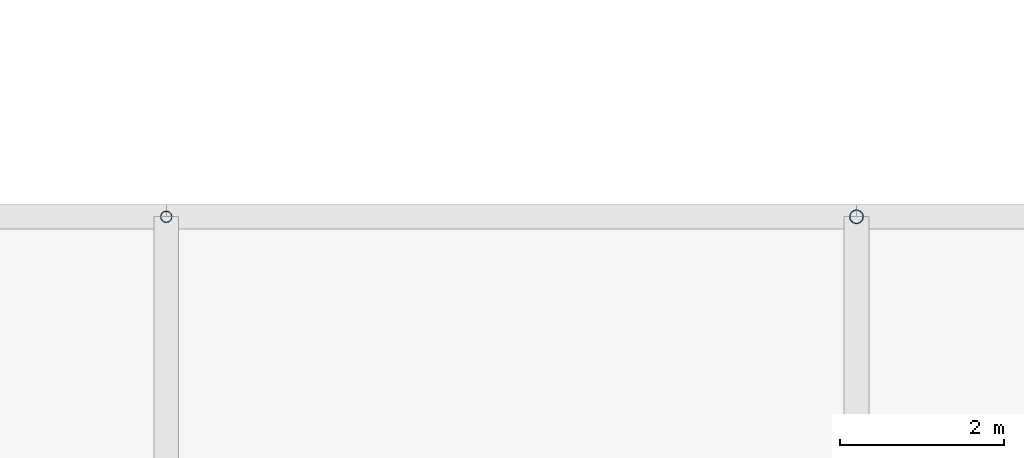
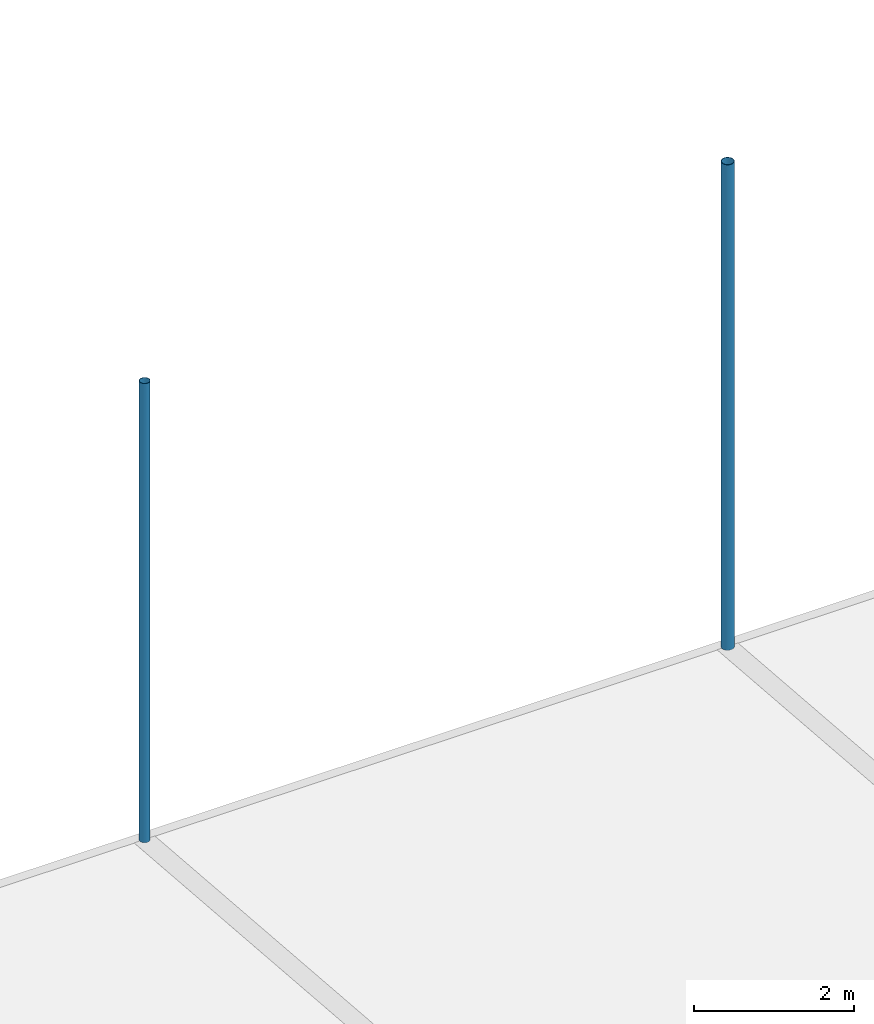
# One storey, part 32 of 37: 2 discrete accessories.
"""IFC4 building model written with IfcOpenShell, lengths in metres."""

import ifcopenshell
import ifcopenshell.guid

model = None  # the IFC model being written
_history = None  # IfcOwnerHistory: only IFC2X3 demands one
_inside = {}  # id of a spatial element -> (the spatial element, [elements in it])
_under = {}  # id of a project, library or spatial element -> (it, [spatial elements below it])
_declared = {}  # id of a project -> (the project, [libraries it declares])
_typed = {}  # id of a type object -> (the type object, [elements of that type])
_made_of = {}  # id of a material, layer set ... -> (it, [elements and type objects made of it])


def new_model(schema):
    """Start an empty IFC model of exactly this schema.

    Asked for "IFC4X3", IfcOpenShell would pick the latest addendum, in which some entities
    have other attributes; the version numbers below select the first issue.
    IFC2X3 requires an IfcOwnerHistory on every rooted entity: one is made here for all.
    """
    global model, _history
    if schema == "IFC4X3":
        model = ifcopenshell.file(schema_version=(4, 3, 0, 0))
    else:
        model = ifcopenshell.file(schema=schema)
    _inside.clear()
    _under.clear()
    _declared.clear()
    _typed.clear()
    _made_of.clear()
    _history = None
    if model.schema == "IFC2X3":
        org = make("IfcOrganization", Name="unknown")
        user = make(
            "IfcPersonAndOrganization",
            ThePerson=make("IfcPerson", FamilyName="unknown"),
            TheOrganization=org,
        )
        app = make(
            "IfcApplication",
            ApplicationDeveloper=org,
            Version="unknown",
            ApplicationFullName="unknown",
            ApplicationIdentifier="unknown",
        )
        _history = make(
            "IfcOwnerHistory",
            OwningUser=user,
            OwningApplication=app,
            ChangeAction="ADDED",
            CreationDate=0,
        )
    return model


def make(cls, **values):
    """One entity of the class cls with the attributes given. An attribute that is None is left unset."""
    return model.create_entity(
        cls, **{name: value for name, value in values.items() if value is not None}
    )


def rooted(cls, **values):
    """An entity with a GlobalId (a new one), such as an element, a storey or a relation."""
    return make(cls, GlobalId=ifcopenshell.guid.new(), OwnerHistory=_history, **values)


def si_unit(unit_type, name, prefix=None):
    """IfcSIUnit, for example si_unit("LENGTHUNIT", "METRE", prefix="MILLI")."""
    return make("IfcSIUnit", UnitType=unit_type, Prefix=prefix, Name=name)


def assignment(units):
    """IfcUnitAssignment: the units of a project."""
    return None if units is None else make("IfcUnitAssignment", Units=units)


def point(xyz):
    """IfcCartesianPoint."""
    return None if xyz is None else make("IfcCartesianPoint", Coordinates=xyz)


def direction(xyz):
    """IfcDirection."""
    return None if xyz is None else make("IfcDirection", DirectionRatios=xyz)


def frame(location, z_axis=None, x_axis=None):
    """IfcAxis2Placement3D, a coordinate frame: its origin and axes. An axis left out is left unset."""
    return make(
        "IfcAxis2Placement3D",
        Location=point(location),
        Axis=direction(z_axis),
        RefDirection=direction(x_axis),
    )


def frame_2d(location, x_axis=None):
    """IfcAxis2Placement2D, a coordinate frame in the plane: its origin and x axis."""
    return make(
        "IfcAxis2Placement2D", Location=point(location), RefDirection=direction(x_axis)
    )


def origin():
    """The frame at (0, 0, 0) with its axes left unset."""
    return frame((0.0, 0.0, 0.0))


def origin_2d():
    """The frame at (0, 0) in the plane with its x axis left unset."""
    return frame_2d((0.0, 0.0))


def place(relative_to, where):
    """IfcLocalPlacement: puts the frame where relative to a parent placement (None: the world)."""
    return make(
        "IfcLocalPlacement", PlacementRelTo=relative_to, RelativePlacement=where
    )


def context(
    kind, dimensions, precision=None, world=None, true_north=None, identifier=None
):
    """IfcGeometricRepresentationContext, for example the 3D "Model" context."""
    return make(
        "IfcGeometricRepresentationContext",
        ContextIdentifier=identifier,
        ContextType=kind,
        CoordinateSpaceDimension=dimensions,
        Precision=precision,
        WorldCoordinateSystem=world,
        TrueNorth=true_north,
    )


def subcontext(parent, identifier, kind, view, scale=None):
    """IfcGeometricRepresentationSubContext, for example "Body" below "Model"."""
    return make(
        "IfcGeometricRepresentationSubContext",
        ContextIdentifier=identifier,
        ContextType=kind,
        ParentContext=parent,
        TargetScale=scale,
        TargetView=view,
    )


def project(units=None, contexts=None):
    """IfcProject with its units and contexts."""
    return rooted(
        "IfcProject",
        Name="project",
        RepresentationContexts=contexts,
        UnitsInContext=assignment(units),
    )


def spatial(cls, under=None, at=None, **own):
    """A site, building, storey or space (cls), placed at a placement, below another one or the project."""
    s = rooted(cls, ObjectPlacement=at, **own)
    if under is not None:
        _under.setdefault(under.id(), (under, []))[1].append(s)
    return s


def profile(cls, at=None, kind="AREA", **sizes):
    """A parametric profile (cls). Its sizes go by their IFC names, for example OverallWidth=200.0."""
    return make(cls, ProfileType=kind, Position=at, **sizes)


def hollow_circle(**sizes):
    """IfcCircleHollowProfileDef."""
    return profile("IfcCircleHollowProfileDef", **sizes)


def extrude(swept, where, along, depth):
    """IfcExtrudedAreaSolid: the profile swept, set in the frame where, extruded along a direction by depth."""
    return make(
        "IfcExtrudedAreaSolid",
        SweptArea=swept,
        Position=where,
        ExtrudedDirection=direction(along),
        Depth=depth,
    )


def shape(context_of_items, identifier, shape_type, items):
    """IfcShapeRepresentation: the items that make up one representation, for example the "Body"."""
    return make(
        "IfcShapeRepresentation",
        ContextOfItems=context_of_items,
        RepresentationIdentifier=identifier,
        RepresentationType=shape_type,
        Items=items,
    )


def material(Name=None, Category=None):
    """IfcMaterial."""
    return make("IfcMaterial", Name=Name, Category=Category)


def material_profile(
    of_material, cross_section, Name=None, Category=None, Priority=None
):
    """IfcMaterialProfile: a cross section and its material."""
    return make(
        "IfcMaterialProfile",
        Name=Name,
        Material=of_material,
        Profile=cross_section,
        Priority=Priority,
        Category=Category,
    )


def profile_set(profiles, Name=None, composite=None):
    """IfcMaterialProfileSet."""
    return make(
        "IfcMaterialProfileSet",
        Name=Name,
        MaterialProfiles=profiles,
        CompositeProfile=composite,
    )


def made_of(thing, what):
    """Note that an element or type object is made of a material, layer set ...; save() writes the relation."""
    if what is not None:
        _made_of.setdefault(what.id(), (what, []))[1].append(thing)
    return thing


def type_object(cls, material=None, **own):
    """A type object (cls), such as IfcWallType, which elements share."""
    return made_of(rooted(cls, **own), material)


def element(
    cls,
    number,
    at=None,
    inside=None,
    cuts=None,
    type_object=None,
    material=None,
    context=None,
    identifier="Body",
    shape_type=None,
    held_by="IfcProductDefinitionShape",
    body=None,
    shapes=None,
    **own,
):
    """One element of the class cls, such as IfcWall. Its Tag is "e" and its number.

    at: its placement. inside: the storey or other place that contains it. cuts: it is an
    opening in that element (IfcRelVoidsElement). A single representation is given by context,
    identifier, shape_type and body (its items); several are given by shapes. held_by: the class
    of the entity that holds the representations. save() writes the other relations.
    """
    e = rooted(cls, Tag="e%d" % number, ObjectPlacement=at, **own)
    if body is not None:
        shapes = [shape(context, identifier, shape_type, body)]
    if shapes is not None:
        e.Representation = make(held_by, Representations=shapes)
    if inside is not None:
        _inside.setdefault(inside.id(), (inside, []))[1].append(e)
    if cuts is not None:
        rooted(
            "IfcRelVoidsElement", RelatingBuildingElement=cuts, RelatedOpeningElement=e
        )
    if type_object is not None:
        _typed.setdefault(type_object.id(), (type_object, []))[1].append(e)
    return made_of(e, material)


def aggregate(whole, parts):
    """IfcRelAggregates: a whole, such as a stair, and the parts it consists of."""
    return rooted("IfcRelAggregates", RelatingObject=whole, RelatedObjects=parts)


def save(model, path):
    """Write the relations noted so far, then the file.

    IfcRelAggregates (storeys below a building ...), IfcRelContainedInSpatialStructure (elements
    in a storey), IfcRelDefinesByType, IfcRelAssociatesMaterial and IfcRelDeclares: one each for
    every whole, place, type object, material and project.
    """
    for whole, parts in _under.values():
        aggregate(whole, parts)
    for where, things in _inside.values():
        rooted(
            "IfcRelContainedInSpatialStructure",
            RelatedElements=things,
            RelatingStructure=where,
        )
    for kind, things in _typed.values():
        rooted("IfcRelDefinesByType", RelatedObjects=things, RelatingType=kind)
    for what, things in _made_of.values():
        rooted("IfcRelAssociatesMaterial", RelatedObjects=things, RelatingMaterial=what)
    for by, libraries in _declared.values():
        rooted("IfcRelDeclares", RelatingContext=by, RelatedDefinitions=libraries)
    model.write(path)


model = new_model("IFC4")

# Units and contexts
model_context = context("Model", 3, precision=1e-05, world=origin(), true_north=direction((0.0, 1.0)))
body_context = subcontext(model_context, "Body", "Model", "MODEL_VIEW")
ifc_project = project(units=[si_unit("LENGTHUNIT", "METRE"), si_unit("AREAUNIT", "SQUARE_METRE"), si_unit("VOLUMEUNIT", "CUBIC_METRE"), si_unit("PLANEANGLEUNIT", "RADIAN"), si_unit("MASSUNIT", "GRAM", prefix="KILO")], contexts=[model_context])

# Site, building, storey
site_placement = place(None, origin())
site = spatial("IfcSite", under=ifc_project, at=site_placement, CompositionType="ELEMENT")
building_placement = place(site_placement, origin())
building = spatial("IfcBuilding", under=site, at=building_placement, Name="Rain Tree Exposition and Congress Centre", CompositionType="ELEMENT")
storey_placement = place(building_placement, frame((0.0, 0.0, 25.0)))
storey = spatial("IfcBuildingStorey", under=building, at=storey_placement, Name="ROOF VAULT LOW", CompositionType="ELEMENT", Elevation=25.0)

# Discrete accessories
ifc_material_1 = material(Name="Steel S355J2H", Category="steel")
ifc_material_profile_1 = material_profile(ifc_material_1, hollow_circle(Radius=0.06982421875, WallThickness=0.0048828125, at=origin_2d()), Name="CHS 140x5")
ifc_profile_set_1 = profile_set([ifc_material_profile_1], Name="Steel S355J2H")
discrete_accessory_type_1 = type_object("IfcDiscreteAccessoryType", Name="Roof skin post CHS 140x5", PredefinedType="BRACKET", material=ifc_profile_set_1)
discrete_accessory_1_placement = place(storey_placement, frame((67.199951171875, 168.0, 0.4892578125), z_axis=(0.0, 0.0, 1.0), x_axis=(1.0, 0.0, 0.0)))
element("IfcDiscreteAccessory", 1, at=discrete_accessory_1_placement, inside=storey, type_object=discrete_accessory_type_1, Name="Roof skin post A128", PredefinedType="BRACKET", context=body_context, shape_type="SweptSolid", body=[
    extrude(hollow_circle(Radius=0.06982421875, WallThickness=0.0048828125, at=origin_2d()), origin(), (0.0, 0.0, 1.0), 6.993408203125),
])
ifc_material_2 = material(Name="Steel S355J2H", Category="steel")
ifc_material_profile_2 = material_profile(ifc_material_2, hollow_circle(Radius=0.084228515625, WallThickness=0.006103515625, at=origin_2d()), Name="CHS 168x6")
ifc_profile_set_2 = profile_set([ifc_material_profile_2], Name="Steel S355J2H")
discrete_accessory_type_2 = type_object("IfcDiscreteAccessoryType", Name="Roof skin post CHS 168x6", PredefinedType="BRACKET", material=ifc_profile_set_2)
discrete_accessory_2_placement = place(storey_placement, frame((75.60009765625, 168.0, 0.4892578125), z_axis=(0.0, 0.0, 1.0), x_axis=(1.0, 0.0, 0.0)))
element("IfcDiscreteAccessory", 2, at=discrete_accessory_2_placement, inside=storey, type_object=discrete_accessory_type_2, Name="Roof skin post A129", PredefinedType="BRACKET", context=body_context, shape_type="SweptSolid", body=[
    extrude(hollow_circle(Radius=0.084228515625, WallThickness=0.006103515625, at=origin_2d()), origin(), (0.0, 0.0, 1.0), 7.39599609375),
])

save(model, "model.ifc")
